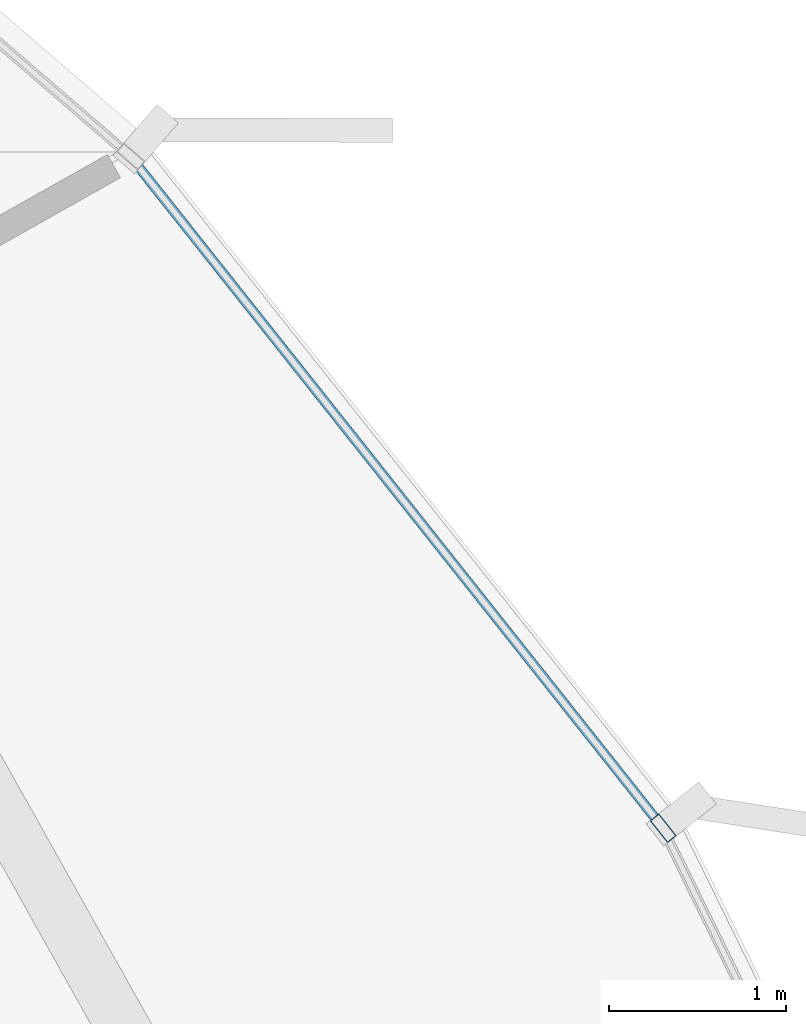
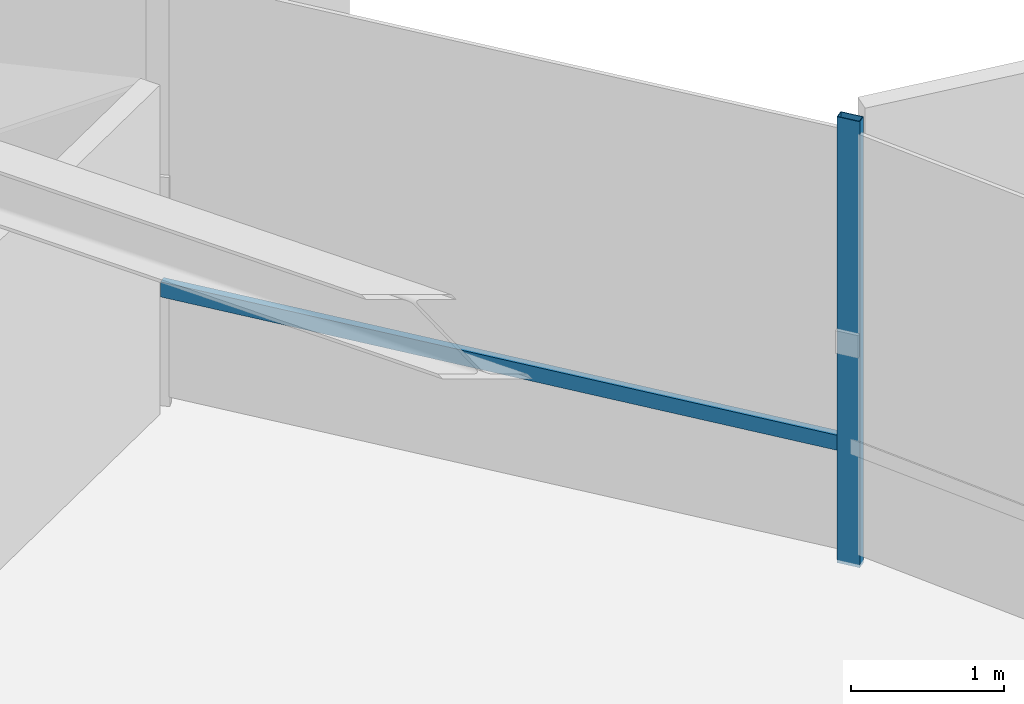
# One storey, part 24 of 38: 2 members, 1 element without a shape of its own.
"""IFC4 building model written with IfcOpenShell, lengths in metres."""

from ifc_helpers import new_model, si_unit, direction, frame, origin, origin_2d, place, context, subcontext, project, spatial, hollow_rectangle, extrude, source, transform, mapped, material, layer, layer_set, material_profile, profile_set, type_object, element, aggregate, save


model = new_model("IFC4")

# Units and contexts
model_context = context("Model", 3, precision=1e-05, world=origin(), true_north=direction((0.0, 1.0)))
body_context = subcontext(model_context, "Body", "Model", "MODEL_VIEW")
ifc_project = project(units=[si_unit("LENGTHUNIT", "METRE"), si_unit("AREAUNIT", "SQUARE_METRE"), si_unit("VOLUMEUNIT", "CUBIC_METRE"), si_unit("PLANEANGLEUNIT", "RADIAN"), si_unit("MASSUNIT", "GRAM", prefix="KILO"), si_unit("THERMODYNAMICTEMPERATUREUNIT", "KELVIN")], contexts=[model_context])

# Site, building, storey
site_placement = place(None, origin())
site = spatial("IfcSite", under=ifc_project, at=site_placement, CompositionType="ELEMENT")
building_placement = place(site_placement, origin())
building = spatial("IfcBuilding", under=site, at=building_placement, Name="Kethvar Cultural Tower", CompositionType="ELEMENT")
storey_placement = place(building_placement, frame((0.0, 0.0, 52.39990234375)))
storey = spatial("IfcBuildingStorey", under=building, at=storey_placement, Name="L12", CompositionType="ELEMENT", Elevation=52.39990234375)

# Curtain wall, members
ifc_material = material(Name="Aluminium 6063-T6", Category="aluminium")
ifc_layer = layer(ifc_material, 0.179931640625, Name="Aluminium 6063-T6", Category="aluminium")
ifc_layer_set = layer_set([ifc_layer], Name="Aluminium 6063-T6 (180 mm)")
curtain_wall_type = type_object("IfcCurtainWallType", Name="CW-SYS-02-Z1", PredefinedType="NOTDEFINED", material=ifc_layer_set)
curtain_wall_placement = place(storey_placement, origin())
curtain_wall = element("IfcCurtainWall", 1, at=curtain_wall_placement, inside=storey, type_object=curtain_wall_type, Name="L12 Curtain Wall Run 01", PredefinedType="NOTDEFINED")
ifc_material_profile_1 = material_profile(ifc_material, hollow_rectangle(XDim=0.06494140625, YDim=0.159912109375, WallThickness=0.0048828125, at=origin_2d()), Name="Aluminium 6063-T6 — RHS160x65x5")
ifc_profile_set_1 = profile_set([ifc_material_profile_1], Name="Aluminium 6063-T6 — RHS160x65x5")
member_type_1 = type_object("IfcMemberType", Name="CW-SYS-02-Z1-MUL", PredefinedType="MULLION", material=ifc_profile_set_1)
shared_shape_1 = source(origin(), body_context, "Body", "SweptSolid", [
    extrude(hollow_rectangle(XDim=0.06494140625, YDim=0.159912109375, WallThickness=0.0048828125, at=origin_2d()), origin(), (0.0, 0.0, 1.0), 3.550048828125),
])
member_1_placement = place(storey_placement, frame((77.160400390625, 39.48388671875, 0.0), z_axis=(0.0, 0.0, 1.0), x_axis=(-0.783400661325, -0.621517018138, 0.0)))
member_1 = element("IfcMember", 2, at=member_1_placement, type_object=member_type_1, Name="CW-L12-R01 Mullion 3", PredefinedType="MULLION", context=body_context, shape_type="MappedRepresentation", body=[
    mapped(shared_shape_1, transform((0.0, 0.0, 0.0), scale=1.0)),
])
ifc_material_profile_2 = material_profile(ifc_material, hollow_rectangle(XDim=0.054931640625, YDim=0.1201171875, WallThickness=0.00390625, at=origin_2d()), Name="Aluminium 6063-T6 — RHS120x55x4")
ifc_profile_set_2 = profile_set([ifc_material_profile_2], Name="Aluminium 6063-T6 — RHS120x55x4")
member_type_2 = type_object("IfcMemberType", Name="CW-SYS-02-Z1-TRN", PredefinedType="USERDEFINED", material=ifc_profile_set_2)
shared_shape_2 = source(origin(), body_context, "Body", "SweptSolid", [
    extrude(hollow_rectangle(XDim=0.054931640625, YDim=0.1201171875, WallThickness=0.00390625, at=origin_2d()), origin(), (0.0, 0.0, 1.0), 4.77685546875),
])
member_2_placement = place(storey_placement, frame((77.13134765625, 39.5205078125, 0.9501953125), z_axis=(-0.621498567193, 0.783415299172, 0.0), x_axis=(-0.783415299172, -0.621498567193, 0.0)))
member_2 = element("IfcMember", 3, at=member_2_placement, type_object=member_type_2, Name="CW-L12-R01 Transom 3", ObjectType="TRANSOM", PredefinedType="USERDEFINED", context=body_context, shape_type="MappedRepresentation", body=[
    mapped(shared_shape_2, transform((0.0, 0.0, 0.0), scale=1.0)),
])
aggregate(curtain_wall, [member_1, member_2])

save(model, "model.ifc")
